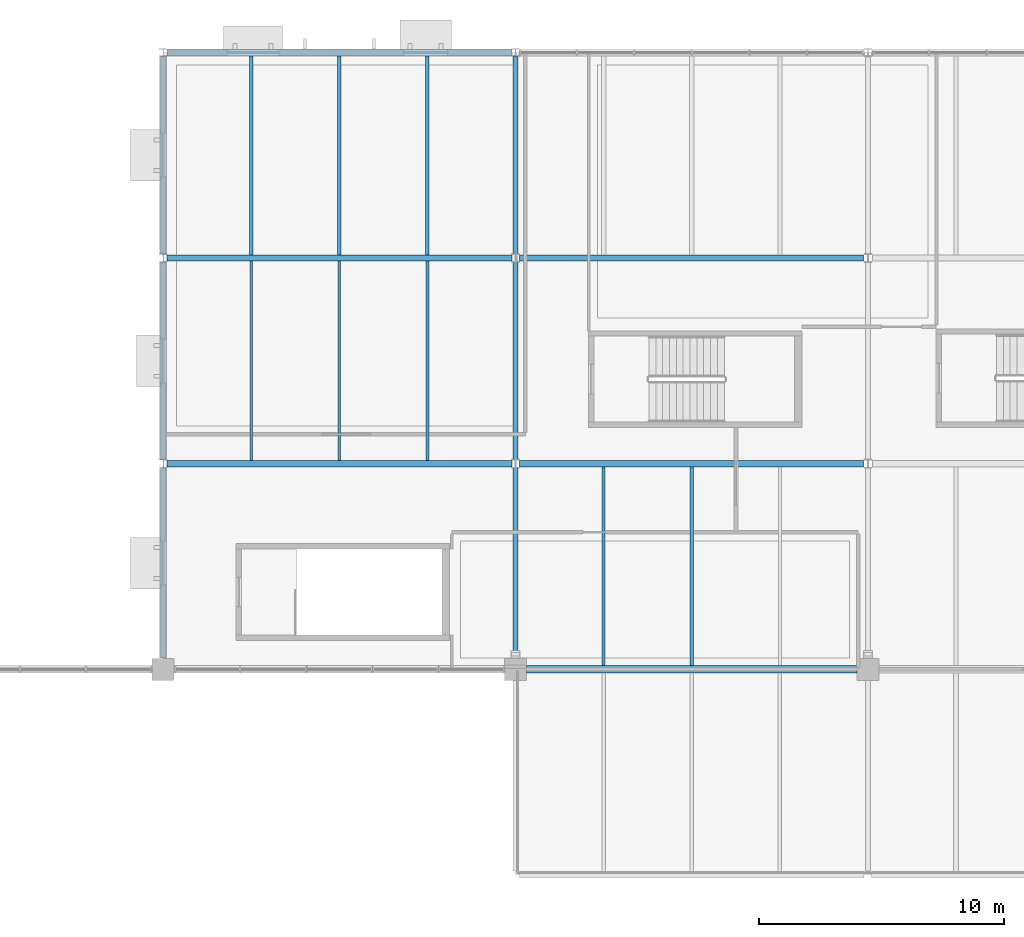
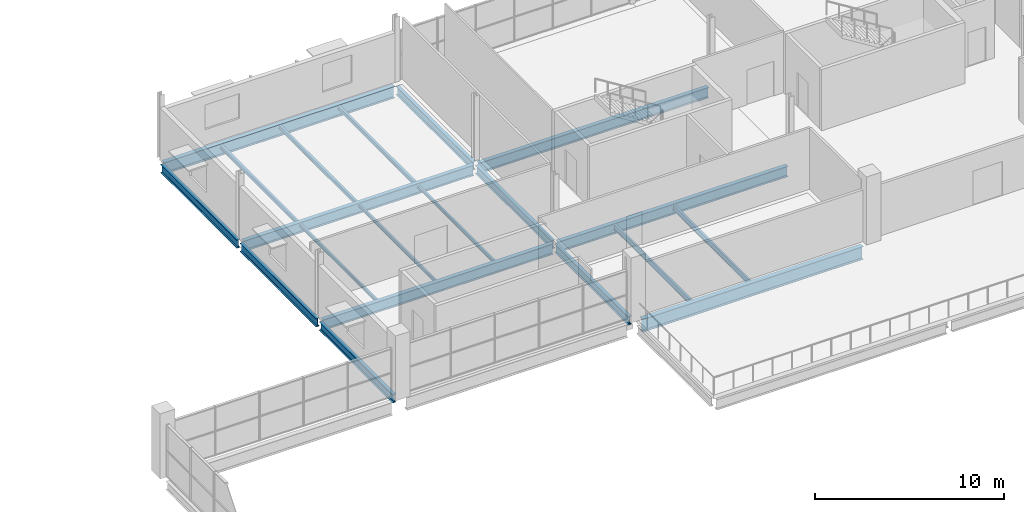
# One storey, part 40 of 93: 20 beams.
"""IFC4 building model written with IfcOpenShell, lengths in metres."""

from ifc_helpers import new_model, si_unit, direction, frame, origin, origin_2d, place, context, subcontext, project, spatial, i_section, extrude, material, material_profile, profile_set, type_object, element, save


model = new_model("IFC4")

# Units and contexts
model_context = context("Model", 3, precision=1e-05, world=origin(), true_north=direction((0.0, 1.0)))
body_context = subcontext(model_context, "Body", "Model", "MODEL_VIEW")
ifc_project = project(units=[si_unit("LENGTHUNIT", "METRE"), si_unit("AREAUNIT", "SQUARE_METRE"), si_unit("VOLUMEUNIT", "CUBIC_METRE"), si_unit("PLANEANGLEUNIT", "RADIAN"), si_unit("MASSUNIT", "GRAM", prefix="KILO"), si_unit("THERMODYNAMICTEMPERATUREUNIT", "KELVIN")], contexts=[model_context])

# Site, building, storey
site_placement = place(None, origin())
site = spatial("IfcSite", under=ifc_project, at=site_placement, CompositionType="ELEMENT")
building_placement = place(site_placement, origin())
building = spatial("IfcBuilding", under=site, at=building_placement, Name="Nduvali Passage Aquatics Centre", CompositionType="ELEMENT")
storey_placement = place(building_placement, frame((0.0, 0.0, 9.0)))
storey = spatial("IfcBuildingStorey", under=building, at=storey_placement, Name="L02", CompositionType="ELEMENT", Elevation=9.0)

# Beams
ifc_material = material(Name="Steel S355", Category="steel")
ifc_material_profile_1 = material_profile(ifc_material, i_section(OverallWidth=0.210693359375, OverallDepth=0.53955078125, WebThickness=0.01171875, FlangeThickness=0.018798828125, FilletRadius=0.0126953125, at=origin_2d()), Name="UKB 533x210x109")
ifc_profile_set_1 = profile_set([ifc_material_profile_1], Name="Steel S355")
beam_type_1 = type_object("IfcBeamType", Name="STR-BM-UKB533", PredefinedType="BEAM", material=ifc_profile_set_1)
beam_1_placement = place(storey_placement, frame((54.0, 92.85009765625, -0.53369140625), z_axis=(0.0, 1.0, 0.0), x_axis=(-1.0, 0.0, 0.0)))
element("IfcBeam", 1, at=beam_1_placement, inside=storey, type_object=beam_type_1, Name="L02 Primary Y-Girder B6-0978", PredefinedType="BEAM", context=body_context, shape_type="SweptSolid", body=[
    extrude(i_section(OverallWidth=0.210693359375, OverallDepth=0.53955078125, WebThickness=0.01171875, FlangeThickness=0.018798828125, FilletRadius=0.0126953125, at=origin_2d()), origin(), (0.0, 0.0, 1.0), 7.78955078125),
])
beam_2_placement = place(storey_placement, frame((54.0, 100.960205078125, -0.53369140625), z_axis=(0.0, 1.0, 0.0), x_axis=(-1.0, 0.0, 0.0)))
element("IfcBeam", 2, at=beam_2_placement, inside=storey, type_object=beam_type_1, Name="L02 Primary Y-Girder B6-0979", PredefinedType="BEAM", context=body_context, shape_type="SweptSolid", body=[
    extrude(i_section(OverallWidth=0.210693359375, OverallDepth=0.53955078125, WebThickness=0.01171875, FlangeThickness=0.018798828125, FilletRadius=0.0126953125, at=origin_2d()), origin(), (0.0, 0.0, 1.0), 8.07958984375),
])
beam_3_placement = place(storey_placement, frame((54.0, 109.3603515625, -0.53369140625), z_axis=(0.0, 1.0, 0.0), x_axis=(-1.0, 0.0, 0.0)))
element("IfcBeam", 3, at=beam_3_placement, inside=storey, type_object=beam_type_1, Name="L02 Primary Y-Girder B6-0980", PredefinedType="BEAM", context=body_context, shape_type="SweptSolid", body=[
    extrude(i_section(OverallWidth=0.210693359375, OverallDepth=0.53955078125, WebThickness=0.01171875, FlangeThickness=0.018798828125, FilletRadius=0.0126953125, at=origin_2d()), origin(), (0.0, 0.0, 1.0), 8.079345703125),
])
ifc_material_profile_2 = material_profile(ifc_material, i_section(OverallWidth=0.210693359375, OverallDepth=0.53955078125, WebThickness=0.01171875, FlangeThickness=0.018798828125, FilletRadius=0.0126953125, at=origin_2d()), Name="UKB 533x210x109")
ifc_profile_set_2 = profile_set([ifc_material_profile_2], Name="Steel S355")
beam_type_2 = type_object("IfcBeamType", Name="STR-BM-UKB533-EXT", PredefinedType="BEAM", material=ifc_profile_set_2)
beam_4_placement = place(storey_placement, frame((39.60009765625, 92.85009765625, -0.53369140625), z_axis=(0.0, 1.0, 0.0), x_axis=(-1.0, 0.0, 0.0)))
element("IfcBeam", 4, at=beam_4_placement, inside=storey, type_object=beam_type_2, Name="L02 Primary Y-Girder B6E-0971", PredefinedType="BEAM", context=body_context, shape_type="SweptSolid", body=[
    extrude(i_section(OverallWidth=0.210693359375, OverallDepth=0.53955078125, WebThickness=0.01171875, FlangeThickness=0.018798828125, FilletRadius=0.0126953125, at=origin_2d()), origin(), (0.0, 0.0, 1.0), 7.78955078125),
])
beam_5_placement = place(storey_placement, frame((39.60009765625, 100.960205078125, -0.53369140625), z_axis=(0.0, 1.0, 0.0), x_axis=(-1.0, 0.0, 0.0)))
element("IfcBeam", 5, at=beam_5_placement, inside=storey, type_object=beam_type_2, Name="L02 Primary Y-Girder B6E-0972", PredefinedType="BEAM", context=body_context, shape_type="SweptSolid", body=[
    extrude(i_section(OverallWidth=0.210693359375, OverallDepth=0.53955078125, WebThickness=0.01171875, FlangeThickness=0.018798828125, FilletRadius=0.0126953125, at=origin_2d()), origin(), (0.0, 0.0, 1.0), 8.07958984375),
])
beam_6_placement = place(storey_placement, frame((39.60009765625, 109.3603515625, -0.53369140625), z_axis=(0.0, 1.0, 0.0), x_axis=(-1.0, 0.0, 0.0)))
element("IfcBeam", 6, at=beam_6_placement, inside=storey, type_object=beam_type_2, Name="L02 Primary Y-Girder B6E-0973", PredefinedType="BEAM", context=body_context, shape_type="SweptSolid", body=[
    extrude(i_section(OverallWidth=0.210693359375, OverallDepth=0.53955078125, WebThickness=0.01171875, FlangeThickness=0.018798828125, FilletRadius=0.0126953125, at=origin_2d()), origin(), (0.0, 0.0, 1.0), 8.079345703125),
])
ifc_material_profile_3 = material_profile(ifc_material, i_section(OverallWidth=0.253662109375, OverallDepth=0.68359375, WebThickness=0.012451171875, FlangeThickness=0.01904296875, FilletRadius=0.01513671875, at=origin_2d()), Name="UKB 686x254x140")
ifc_profile_set_3 = profile_set([ifc_material_profile_3], Name="Steel S355")
beam_type_3 = type_object("IfcBeamType", Name="STR-BM-UKB686", PredefinedType="BEAM", material=ifc_profile_set_3)
beam_7_placement = place(storey_placement, frame((39.754638671875, 100.800048828125, -0.605712890625), z_axis=(1.0, 0.0, 0.0), x_axis=(0.0, 1.0, 0.0)))
element("IfcBeam", 7, at=beam_7_placement, inside=storey, type_object=beam_type_3, Name="L02 Primary X-Girder B4-0932", PredefinedType="BEAM", context=body_context, shape_type="SweptSolid", body=[
    extrude(i_section(OverallWidth=0.253662109375, OverallDepth=0.68359375, WebThickness=0.012451171875, FlangeThickness=0.01904296875, FilletRadius=0.01513671875, at=origin_2d()), origin(), (0.0, 0.0, 1.0), 14.0908203125),
])
beam_8_placement = place(storey_placement, frame((54.154541015625, 100.800048828125, -0.605712890625), z_axis=(1.0, 0.0, 0.0), x_axis=(0.0, 1.0, 0.0)))
element("IfcBeam", 8, at=beam_8_placement, inside=storey, type_object=beam_type_3, Name="L02 Primary X-Girder B4-0933", PredefinedType="BEAM", context=body_context, shape_type="SweptSolid", body=[
    extrude(i_section(OverallWidth=0.253662109375, OverallDepth=0.68359375, WebThickness=0.012451171875, FlangeThickness=0.01904296875, FilletRadius=0.01513671875, at=origin_2d()), origin(), (0.0, 0.0, 1.0), 14.060302734375),
])
beam_9_placement = place(storey_placement, frame((39.754638671875, 109.199951171875, -0.605712890625), z_axis=(1.0, 0.0, 0.0), x_axis=(0.0, 1.0, 0.0)))
element("IfcBeam", 9, at=beam_9_placement, inside=storey, type_object=beam_type_3, Name="L02 Primary X-Girder B4-0938", PredefinedType="BEAM", context=body_context, shape_type="SweptSolid", body=[
    extrude(i_section(OverallWidth=0.253662109375, OverallDepth=0.68359375, WebThickness=0.012451171875, FlangeThickness=0.01904296875, FilletRadius=0.01513671875, at=origin_2d()), origin(), (0.0, 0.0, 1.0), 14.0908203125),
])
beam_10_placement = place(storey_placement, frame((54.154541015625, 109.199951171875, -0.605712890625), z_axis=(1.0, 0.0, 0.0), x_axis=(0.0, 1.0, 0.0)))
element("IfcBeam", 10, at=beam_10_placement, inside=storey, type_object=beam_type_3, Name="L02 Primary X-Girder B4-0939", PredefinedType="BEAM", context=body_context, shape_type="SweptSolid", body=[
    extrude(i_section(OverallWidth=0.253662109375, OverallDepth=0.68359375, WebThickness=0.012451171875, FlangeThickness=0.01904296875, FilletRadius=0.01513671875, at=origin_2d()), origin(), (0.0, 0.0, 1.0), 14.060302734375),
])
ifc_material_profile_4 = material_profile(ifc_material, i_section(OverallWidth=0.2666015625, OverallDepth=0.76220703125, WebThickness=0.014404296875, FlangeThickness=0.021484375, FilletRadius=0.0166015625, at=origin_2d()), Name="UKB 762x267x173")
ifc_profile_set_4 = profile_set([ifc_material_profile_4], Name="Steel S355")
beam_type_4 = type_object("IfcBeamType", Name="STR-BM-UKB762-EXT", PredefinedType="BEAM", material=ifc_profile_set_4)
beam_11_placement = place(storey_placement, frame((39.754638671875, 117.60009765625, -0.64501953125), z_axis=(1.0, 0.0, 0.0), x_axis=(0.0, 1.0, 0.0)))
element("IfcBeam", 11, at=beam_11_placement, inside=storey, type_object=beam_type_4, Name="L02 Primary X-Girder B4CE-0944", PredefinedType="BEAM", context=body_context, shape_type="SweptSolid", body=[
    extrude(i_section(OverallWidth=0.2666015625, OverallDepth=0.76220703125, WebThickness=0.014404296875, FlangeThickness=0.021484375, FilletRadius=0.0166015625, at=origin_2d()), origin(), (0.0, 0.0, 1.0), 14.0908203125),
])
ifc_material_profile_5 = material_profile(ifc_material, i_section(OverallWidth=0.29248046875, OverallDepth=0.8408203125, WebThickness=0.0146484375, FlangeThickness=0.021728515625, FilletRadius=0.017822265625, at=origin_2d()), Name="UKB 838x292x194")
ifc_profile_set_5 = profile_set([ifc_material_profile_5], Name="Steel S355")
beam_type_5 = type_object("IfcBeamType", Name="STR-BM-UKB838-EXT", PredefinedType="BEAM", material=ifc_profile_set_5)
beam_12_placement = place(storey_placement, frame((54.449951171875, 92.39990234375, -0.684326171875), z_axis=(1.0, 0.0, 0.0), x_axis=(0.0, 1.0, 0.0)))
element("IfcBeam", 12, at=beam_12_placement, inside=storey, type_object=beam_type_5, Name="L02 Primary X-Girder B4BE-0924", PredefinedType="BEAM", context=body_context, shape_type="SweptSolid", body=[
    extrude(i_section(OverallWidth=0.29248046875, OverallDepth=0.8408203125, WebThickness=0.0146484375, FlangeThickness=0.021728515625, FilletRadius=0.017822265625, at=origin_2d()), origin(), (0.0, 0.0, 1.0), 13.5),
])
ifc_material_profile_6 = material_profile(ifc_material, i_section(OverallWidth=0.110107421875, OverallDepth=0.219970703125, WebThickness=0.005859375, FlangeThickness=0.00927734375, FilletRadius=0.011962890625, at=origin_2d()), Name="IPE 220")
ifc_profile_set_6 = profile_set([ifc_material_profile_6], Name="Steel S355")
beam_type_6 = type_object("IfcBeamType", Name="STR-JST-IPE220", PredefinedType="JOIST", material=ifc_profile_set_6)
for number, where, z_axis, x_axis, name in (
    (13, (43.199951171875, 100.9267578125, -0.3740234375), (0.0, 1.0, 0.0), (-1.0, 0.0, 0.0), "L02 Secondary Joist J9-1176"),
    (14, (46.800048828125, 100.9267578125, -0.3740234375), (0.0, 1.0, 0.0), (-1.0, 0.0, 0.0), "L02 Secondary Joist J9-1177"),
    (15, (50.39990234375, 100.9267578125, -0.3740234375), (0.0, 1.0, 0.0), (-1.0, 0.0, 0.0), "L02 Secondary Joist J9-1178"),
):
    element("IfcBeam", number, at=place(storey_placement, frame(where, z_axis=z_axis, x_axis=x_axis)), inside=storey, type_object=beam_type_6, Name=name, PredefinedType="JOIST", context=body_context, shape_type="SweptSolid", body=[
        extrude(i_section(OverallWidth=0.110107421875, OverallDepth=0.219970703125, WebThickness=0.005859375, FlangeThickness=0.00927734375, FilletRadius=0.011962890625, at=origin_2d()), origin(), (0.0, 0.0, 1.0), 8.146484375),
    ])
ifc_material_profile_7 = material_profile(ifc_material, i_section(OverallWidth=0.146484375, OverallDepth=0.256103515625, WebThickness=0.00634765625, FlangeThickness=0.010986328125, FilletRadius=0.007568359375, at=origin_2d()), Name="UKB 254x146x37")
ifc_profile_set_7 = profile_set([ifc_material_profile_7], Name="Steel S355")
beam_type_7 = type_object("IfcBeamType", Name="STR-JST-UKB254", PredefinedType="JOIST", material=ifc_profile_set_7)
for number, where, z_axis, x_axis, name in (
    (16, (43.199951171875, 109.326904296875, -0.39208984375), (0.0, 1.0, 0.0), (-1.0, 0.0, 0.0), "L02 Secondary Joist J4-1183"),
    (17, (46.800048828125, 109.326904296875, -0.39208984375), (0.0, 1.0, 0.0), (-1.0, 0.0, 0.0), "L02 Secondary Joist J4-1184"),
    (18, (50.39990234375, 109.326904296875, -0.39208984375), (0.0, 1.0, 0.0), (-1.0, 0.0, 0.0), "L02 Secondary Joist J4-1185"),
):
    element("IfcBeam", number, at=place(storey_placement, frame(where, z_axis=z_axis, x_axis=x_axis)), inside=storey, type_object=beam_type_7, Name=name, PredefinedType="JOIST", context=body_context, shape_type="SweptSolid", body=[
        extrude(i_section(OverallWidth=0.146484375, OverallDepth=0.256103515625, WebThickness=0.00634765625, FlangeThickness=0.010986328125, FilletRadius=0.007568359375, at=origin_2d()), origin(), (0.0, 0.0, 1.0), 8.139892578125),
    ])
ifc_material_profile_8 = material_profile(ifc_material, i_section(OverallWidth=0.1259765625, OverallDepth=0.353515625, WebThickness=0.006591796875, FlangeThickness=0.0107421875, FilletRadius=0.01025390625, at=origin_2d()), Name="UKB 356x127x39")
ifc_profile_set_8 = profile_set([ifc_material_profile_8], Name="Steel S355")
beam_type_8 = type_object("IfcBeamType", Name="STR-JST-UKB356L", PredefinedType="JOIST", material=ifc_profile_set_8)
for number, where, z_axis, x_axis, name in (
    (19, (57.60009765625, 92.546142578125, -0.440673828125), (0.0, 1.0, 0.0), (-1.0, 0.0, 0.0), "L02 Secondary Joist J2A-1161"),
    (20, (61.199951171875, 92.546142578125, -0.440673828125), (0.0, 1.0, 0.0), (-1.0, 0.0, 0.0), "L02 Secondary Joist J2A-1162"),
):
    element("IfcBeam", number, at=place(storey_placement, frame(where, z_axis=z_axis, x_axis=x_axis)), inside=storey, type_object=beam_type_8, Name=name, PredefinedType="JOIST", context=body_context, shape_type="SweptSolid", body=[
        extrude(i_section(OverallWidth=0.1259765625, OverallDepth=0.353515625, WebThickness=0.006591796875, FlangeThickness=0.0107421875, FilletRadius=0.01025390625, at=origin_2d()), origin(), (0.0, 0.0, 1.0), 8.126953125),
    ])

save(model, "model.ifc")
